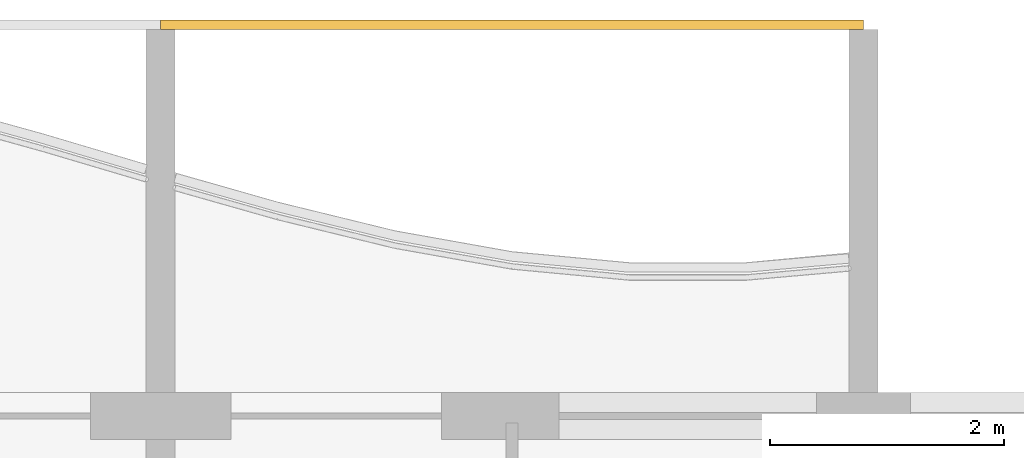
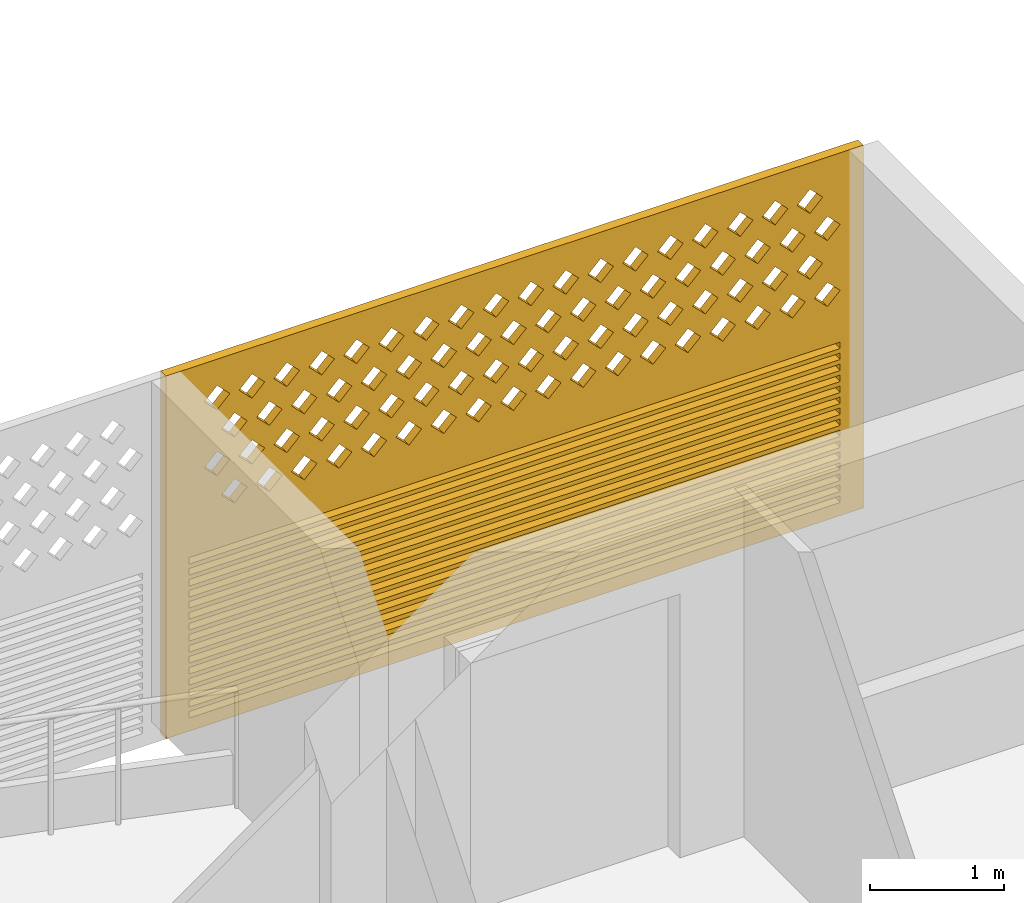
# One storey, part 23 of 27: 1 covering.
"""IFC4 building model written with IfcOpenShell, lengths in metres."""

from ifc_helpers import new_model, si_unit, direction, frame, origin, place, context, subcontext, project, spatial, polyline, outline, extrude, source, transform, mapped, material, material_profile, profile_set, type_object, element, save


model = new_model("IFC4")

# Units and contexts
model_context = context("Model", 3, precision=1e-05, world=origin(), true_north=direction((0.0, 1.0)))
body_context = subcontext(model_context, "Body", "Model", "MODEL_VIEW")
ifc_project = project(units=[si_unit("LENGTHUNIT", "METRE"), si_unit("AREAUNIT", "SQUARE_METRE"), si_unit("VOLUMEUNIT", "CUBIC_METRE"), si_unit("PLANEANGLEUNIT", "RADIAN"), si_unit("MASSUNIT", "GRAM", prefix="KILO")], contexts=[model_context])

# Site, building, storey
site_placement = place(None, origin())
site = spatial("IfcSite", under=ifc_project, at=site_placement, CompositionType="ELEMENT")
building_placement = place(site_placement, origin())
building = spatial("IfcBuilding", under=site, at=building_placement, Name="Poui Terraces", CompositionType="ELEMENT")
storey_placement = place(building_placement, frame((0.0, 0.0, 251.10009765625)))
storey = spatial("IfcBuildingStorey", under=building, at=storey_placement, Name="L70", CompositionType="ELEMENT", Elevation=251.10009765625)

# Covering
ifc_material = material(Name="Terracotta screen", Category="masonry")
ifc_material_profile = material_profile(ifc_material, outline(polyline([(-3.0, -1.64990234375), (3.0, -1.64990234375), (3.0, 1.64990234375), (-3.0, 1.64990234375), (-3.0, -1.64990234375)]), holes=[polyline([(-2.800048828125, 0.39990234375), (-2.68994140625, 0.2900390625), (-2.580078125, 0.39990234375), (-2.68994140625, 0.510009765625), (-2.800048828125, 0.39990234375)]), polyline([(-2.5, 0.39990234375), (-2.389892578125, 0.2900390625), (-2.280029296875, 0.39990234375), (-2.389892578125, 0.510009765625), (-2.5, 0.39990234375)]), polyline([(-2.199951171875, 0.39990234375), (-2.090087890625, 0.2900390625), (-1.97998046875, 0.39990234375), (-2.090087890625, 0.510009765625), (-2.199951171875, 0.39990234375)]), polyline([(-1.89990234375, 0.39990234375), (-1.7900390625, 0.2900390625), (-1.679931640625, 0.39990234375), (-1.7900390625, 0.510009765625), (-1.89990234375, 0.39990234375)]), polyline([(-1.60009765625, 0.39990234375), (-1.489990234375, 0.2900390625), (-1.3798828125, 0.39990234375), (-1.489990234375, 0.510009765625), (-1.60009765625, 0.39990234375)]), polyline([(-1.300048828125, 0.39990234375), (-1.18994140625, 0.2900390625), (-1.080078125, 0.39990234375), (-1.18994140625, 0.510009765625), (-1.300048828125, 0.39990234375)]), polyline([(-1.0, 0.39990234375), (-0.889892578125, 0.2900390625), (-0.780029296875, 0.39990234375), (-0.889892578125, 0.510009765625), (-1.0, 0.39990234375)]), polyline([(-0.699951171875, 0.39990234375), (-0.590087890625, 0.2900390625), (-0.47998046875, 0.39990234375), (-0.590087890625, 0.510009765625), (-0.699951171875, 0.39990234375)]), polyline([(-0.39990234375, 0.39990234375), (-0.2900390625, 0.2900390625), (-0.179931640625, 0.39990234375), (-0.2900390625, 0.510009765625), (-0.39990234375, 0.39990234375)]), polyline([(-0.10009765625, 0.39990234375), (0.010009765625, 0.2900390625), (0.1201171875, 0.39990234375), (0.010009765625, 0.510009765625), (-0.10009765625, 0.39990234375)]), polyline([(0.199951171875, 0.39990234375), (0.31005859375, 0.2900390625), (0.419921875, 0.39990234375), (0.31005859375, 0.510009765625), (0.199951171875, 0.39990234375)]), polyline([(0.5, 0.39990234375), (0.610107421875, 0.2900390625), (0.719970703125, 0.39990234375), (0.610107421875, 0.510009765625), (0.5, 0.39990234375)]), polyline([(0.800048828125, 0.39990234375), (0.909912109375, 0.2900390625), (1.02001953125, 0.39990234375), (0.909912109375, 0.510009765625), (0.800048828125, 0.39990234375)]), polyline([(1.10009765625, 0.39990234375), (1.2099609375, 0.2900390625), (1.320068359375, 0.39990234375), (1.2099609375, 0.510009765625), (1.10009765625, 0.39990234375)]), polyline([(1.39990234375, 0.39990234375), (1.510009765625, 0.2900390625), (1.6201171875, 0.39990234375), (1.510009765625, 0.510009765625), (1.39990234375, 0.39990234375)]), polyline([(1.699951171875, 0.39990234375), (1.81005859375, 0.2900390625), (1.919921875, 0.39990234375), (1.81005859375, 0.510009765625), (1.699951171875, 0.39990234375)]), polyline([(2.0, 0.39990234375), (2.110107421875, 0.2900390625), (2.219970703125, 0.39990234375), (2.110107421875, 0.510009765625), (2.0, 0.39990234375)]), polyline([(2.300048828125, 0.39990234375), (2.409912109375, 0.2900390625), (2.52001953125, 0.39990234375), (2.409912109375, 0.510009765625), (2.300048828125, 0.39990234375)]), polyline([(-2.64990234375, 0.699951171875), (-2.5400390625, 0.590087890625), (-2.429931640625, 0.699951171875), (-2.5400390625, 0.81005859375), (-2.64990234375, 0.699951171875)]), polyline([(-2.35009765625, 0.699951171875), (-2.239990234375, 0.590087890625), (-2.1298828125, 0.699951171875), (-2.239990234375, 0.81005859375), (-2.35009765625, 0.699951171875)]), polyline([(-2.050048828125, 0.699951171875), (-1.93994140625, 0.590087890625), (-1.830078125, 0.699951171875), (-1.93994140625, 0.81005859375), (-2.050048828125, 0.699951171875)]), polyline([(-1.75, 0.699951171875), (-1.639892578125, 0.590087890625), (-1.530029296875, 0.699951171875), (-1.639892578125, 0.81005859375), (-1.75, 0.699951171875)]), polyline([(-1.449951171875, 0.699951171875), (-1.340087890625, 0.590087890625), (-1.22998046875, 0.699951171875), (-1.340087890625, 0.81005859375), (-1.449951171875, 0.699951171875)]), polyline([(-1.14990234375, 0.699951171875), (-1.0400390625, 0.590087890625), (-0.929931640625, 0.699951171875), (-1.0400390625, 0.81005859375), (-1.14990234375, 0.699951171875)]), polyline([(-0.85009765625, 0.699951171875), (-0.739990234375, 0.590087890625), (-0.6298828125, 0.699951171875), (-0.739990234375, 0.81005859375), (-0.85009765625, 0.699951171875)]), polyline([(-0.550048828125, 0.699951171875), (-0.43994140625, 0.590087890625), (-0.330078125, 0.699951171875), (-0.43994140625, 0.81005859375), (-0.550048828125, 0.699951171875)]), polyline([(-0.25, 0.699951171875), (-0.139892578125, 0.590087890625), (-0.030029296875, 0.699951171875), (-0.139892578125, 0.81005859375), (-0.25, 0.699951171875)]), polyline([(0.050048828125, 0.699951171875), (0.159912109375, 0.590087890625), (0.27001953125, 0.699951171875), (0.159912109375, 0.81005859375), (0.050048828125, 0.699951171875)]), polyline([(0.35009765625, 0.699951171875), (0.4599609375, 0.590087890625), (0.570068359375, 0.699951171875), (0.4599609375, 0.81005859375), (0.35009765625, 0.699951171875)]), polyline([(0.64990234375, 0.699951171875), (0.760009765625, 0.590087890625), (0.8701171875, 0.699951171875), (0.760009765625, 0.81005859375), (0.64990234375, 0.699951171875)]), polyline([(0.949951171875, 0.699951171875), (1.06005859375, 0.590087890625), (1.169921875, 0.699951171875), (1.06005859375, 0.81005859375), (0.949951171875, 0.699951171875)]), polyline([(1.25, 0.699951171875), (1.360107421875, 0.590087890625), (1.469970703125, 0.699951171875), (1.360107421875, 0.81005859375), (1.25, 0.699951171875)]), polyline([(1.550048828125, 0.699951171875), (1.659912109375, 0.590087890625), (1.77001953125, 0.699951171875), (1.659912109375, 0.81005859375), (1.550048828125, 0.699951171875)]), polyline([(1.85009765625, 0.699951171875), (1.9599609375, 0.590087890625), (2.070068359375, 0.699951171875), (1.9599609375, 0.81005859375), (1.85009765625, 0.699951171875)]), polyline([(2.14990234375, 0.699951171875), (2.260009765625, 0.590087890625), (2.3701171875, 0.699951171875), (2.260009765625, 0.81005859375), (2.14990234375, 0.699951171875)]), polyline([(2.449951171875, 0.699951171875), (2.56005859375, 0.590087890625), (2.669921875, 0.699951171875), (2.56005859375, 0.81005859375), (2.449951171875, 0.699951171875)]), polyline([(-2.800048828125, 1.0), (-2.68994140625, 0.889892578125), (-2.580078125, 1.0), (-2.68994140625, 1.110107421875), (-2.800048828125, 1.0)]), polyline([(-2.5, 1.0), (-2.389892578125, 0.889892578125), (-2.280029296875, 1.0), (-2.389892578125, 1.110107421875), (-2.5, 1.0)]), polyline([(-2.199951171875, 1.0), (-2.090087890625, 0.889892578125), (-1.97998046875, 1.0), (-2.090087890625, 1.110107421875), (-2.199951171875, 1.0)]), polyline([(-1.89990234375, 1.0), (-1.7900390625, 0.889892578125), (-1.679931640625, 1.0), (-1.7900390625, 1.110107421875), (-1.89990234375, 1.0)]), polyline([(-1.60009765625, 1.0), (-1.489990234375, 0.889892578125), (-1.3798828125, 1.0), (-1.489990234375, 1.110107421875), (-1.60009765625, 1.0)]), polyline([(-1.300048828125, 1.0), (-1.18994140625, 0.889892578125), (-1.080078125, 1.0), (-1.18994140625, 1.110107421875), (-1.300048828125, 1.0)]), polyline([(-1.0, 1.0), (-0.889892578125, 0.889892578125), (-0.780029296875, 1.0), (-0.889892578125, 1.110107421875), (-1.0, 1.0)]), polyline([(-0.699951171875, 1.0), (-0.590087890625, 0.889892578125), (-0.47998046875, 1.0), (-0.590087890625, 1.110107421875), (-0.699951171875, 1.0)]), polyline([(-0.39990234375, 1.0), (-0.2900390625, 0.889892578125), (-0.179931640625, 1.0), (-0.2900390625, 1.110107421875), (-0.39990234375, 1.0)]), polyline([(-0.10009765625, 1.0), (0.010009765625, 0.889892578125), (0.1201171875, 1.0), (0.010009765625, 1.110107421875), (-0.10009765625, 1.0)]), polyline([(0.199951171875, 1.0), (0.31005859375, 0.889892578125), (0.419921875, 1.0), (0.31005859375, 1.110107421875), (0.199951171875, 1.0)]), polyline([(0.5, 1.0), (0.610107421875, 0.889892578125), (0.719970703125, 1.0), (0.610107421875, 1.110107421875), (0.5, 1.0)]), polyline([(0.800048828125, 1.0), (0.909912109375, 0.889892578125), (1.02001953125, 1.0), (0.909912109375, 1.110107421875), (0.800048828125, 1.0)]), polyline([(1.10009765625, 1.0), (1.2099609375, 0.889892578125), (1.320068359375, 1.0), (1.2099609375, 1.110107421875), (1.10009765625, 1.0)]), polyline([(1.39990234375, 1.0), (1.510009765625, 0.889892578125), (1.6201171875, 1.0), (1.510009765625, 1.110107421875), (1.39990234375, 1.0)]), polyline([(1.699951171875, 1.0), (1.81005859375, 0.889892578125), (1.919921875, 1.0), (1.81005859375, 1.110107421875), (1.699951171875, 1.0)]), polyline([(2.0, 1.0), (2.110107421875, 0.889892578125), (2.219970703125, 1.0), (2.110107421875, 1.110107421875), (2.0, 1.0)]), polyline([(2.300048828125, 1.0), (2.409912109375, 0.889892578125), (2.52001953125, 1.0), (2.409912109375, 1.110107421875), (2.300048828125, 1.0)]), polyline([(-2.64990234375, 1.300048828125), (-2.5400390625, 1.18994140625), (-2.429931640625, 1.300048828125), (-2.5400390625, 1.409912109375), (-2.64990234375, 1.300048828125)]), polyline([(-2.35009765625, 1.300048828125), (-2.239990234375, 1.18994140625), (-2.1298828125, 1.300048828125), (-2.239990234375, 1.409912109375), (-2.35009765625, 1.300048828125)]), polyline([(-2.050048828125, 1.300048828125), (-1.93994140625, 1.18994140625), (-1.830078125, 1.300048828125), (-1.93994140625, 1.409912109375), (-2.050048828125, 1.300048828125)]), polyline([(-1.75, 1.300048828125), (-1.639892578125, 1.18994140625), (-1.530029296875, 1.300048828125), (-1.639892578125, 1.409912109375), (-1.75, 1.300048828125)]), polyline([(-1.449951171875, 1.300048828125), (-1.340087890625, 1.18994140625), (-1.22998046875, 1.300048828125), (-1.340087890625, 1.409912109375), (-1.449951171875, 1.300048828125)]), polyline([(-1.14990234375, 1.300048828125), (-1.0400390625, 1.18994140625), (-0.929931640625, 1.300048828125), (-1.0400390625, 1.409912109375), (-1.14990234375, 1.300048828125)]), polyline([(-0.85009765625, 1.300048828125), (-0.739990234375, 1.18994140625), (-0.6298828125, 1.300048828125), (-0.739990234375, 1.409912109375), (-0.85009765625, 1.300048828125)]), polyline([(-0.550048828125, 1.300048828125), (-0.43994140625, 1.18994140625), (-0.330078125, 1.300048828125), (-0.43994140625, 1.409912109375), (-0.550048828125, 1.300048828125)]), polyline([(-0.25, 1.300048828125), (-0.139892578125, 1.18994140625), (-0.030029296875, 1.300048828125), (-0.139892578125, 1.409912109375), (-0.25, 1.300048828125)]), polyline([(0.050048828125, 1.300048828125), (0.159912109375, 1.18994140625), (0.27001953125, 1.300048828125), (0.159912109375, 1.409912109375), (0.050048828125, 1.300048828125)]), polyline([(0.35009765625, 1.300048828125), (0.4599609375, 1.18994140625), (0.570068359375, 1.300048828125), (0.4599609375, 1.409912109375), (0.35009765625, 1.300048828125)]), polyline([(0.64990234375, 1.300048828125), (0.760009765625, 1.18994140625), (0.8701171875, 1.300048828125), (0.760009765625, 1.409912109375), (0.64990234375, 1.300048828125)]), polyline([(0.949951171875, 1.300048828125), (1.06005859375, 1.18994140625), (1.169921875, 1.300048828125), (1.06005859375, 1.409912109375), (0.949951171875, 1.300048828125)]), polyline([(1.25, 1.300048828125), (1.360107421875, 1.18994140625), (1.469970703125, 1.300048828125), (1.360107421875, 1.409912109375), (1.25, 1.300048828125)]), polyline([(1.550048828125, 1.300048828125), (1.659912109375, 1.18994140625), (1.77001953125, 1.300048828125), (1.659912109375, 1.409912109375), (1.550048828125, 1.300048828125)]), polyline([(1.85009765625, 1.300048828125), (1.9599609375, 1.18994140625), (2.070068359375, 1.300048828125), (1.9599609375, 1.409912109375), (1.85009765625, 1.300048828125)]), polyline([(2.14990234375, 1.300048828125), (2.260009765625, 1.18994140625), (2.3701171875, 1.300048828125), (2.260009765625, 1.409912109375), (2.14990234375, 1.300048828125)]), polyline([(2.449951171875, 1.300048828125), (2.56005859375, 1.18994140625), (2.669921875, 1.300048828125), (2.56005859375, 1.409912109375), (2.449951171875, 1.300048828125)]), polyline([(-2.800048828125, -1.530029296875), (2.800048828125, -1.530029296875), (2.800048828125, -1.469970703125), (-2.800048828125, -1.469970703125), (-2.800048828125, -1.530029296875)]), polyline([(-2.800048828125, -1.429931640625), (2.800048828125, -1.429931640625), (2.800048828125, -1.3701171875), (-2.800048828125, -1.3701171875), (-2.800048828125, -1.429931640625)]), polyline([(-2.800048828125, -1.330078125), (2.800048828125, -1.330078125), (2.800048828125, -1.27001953125), (-2.800048828125, -1.27001953125), (-2.800048828125, -1.330078125)]), polyline([(-2.800048828125, -1.22998046875), (2.800048828125, -1.22998046875), (2.800048828125, -1.169921875), (-2.800048828125, -1.169921875), (-2.800048828125, -1.22998046875)]), polyline([(-2.800048828125, -1.1298828125), (2.800048828125, -1.1298828125), (2.800048828125, -1.070068359375), (-2.800048828125, -1.070068359375), (-2.800048828125, -1.1298828125)]), polyline([(-2.800048828125, -1.030029296875), (2.800048828125, -1.030029296875), (2.800048828125, -0.969970703125), (-2.800048828125, -0.969970703125), (-2.800048828125, -1.030029296875)]), polyline([(-2.800048828125, -0.929931640625), (2.800048828125, -0.929931640625), (2.800048828125, -0.8701171875), (-2.800048828125, -0.8701171875), (-2.800048828125, -0.929931640625)]), polyline([(-2.800048828125, -0.830078125), (2.800048828125, -0.830078125), (2.800048828125, -0.77001953125), (-2.800048828125, -0.77001953125), (-2.800048828125, -0.830078125)]), polyline([(-2.800048828125, -0.72998046875), (2.800048828125, -0.72998046875), (2.800048828125, -0.669921875), (-2.800048828125, -0.669921875), (-2.800048828125, -0.72998046875)]), polyline([(-2.800048828125, -0.6298828125), (2.800048828125, -0.6298828125), (2.800048828125, -0.570068359375), (-2.800048828125, -0.570068359375), (-2.800048828125, -0.6298828125)]), polyline([(-2.800048828125, -0.530029296875), (2.800048828125, -0.530029296875), (2.800048828125, -0.469970703125), (-2.800048828125, -0.469970703125), (-2.800048828125, -0.530029296875)]), polyline([(-2.800048828125, -0.429931640625), (2.800048828125, -0.429931640625), (2.800048828125, -0.3701171875), (-2.800048828125, -0.3701171875), (-2.800048828125, -0.429931640625)]), polyline([(-2.800048828125, -0.330078125), (2.800048828125, -0.330078125), (2.800048828125, -0.27001953125), (-2.800048828125, -0.27001953125), (-2.800048828125, -0.330078125)]), polyline([(-2.800048828125, -0.22998046875), (2.800048828125, -0.22998046875), (2.800048828125, -0.169921875), (-2.800048828125, -0.169921875), (-2.800048828125, -0.22998046875)]), polyline([(-2.800048828125, -0.1298828125), (2.800048828125, -0.1298828125), (2.800048828125, -0.070068359375), (-2.800048828125, -0.070068359375), (-2.800048828125, -0.1298828125)])]), Name="TERRACOTTA SCREEN AND JALOUSIE LOUVRE 6000X3300")
ifc_profile_set = profile_set([ifc_material_profile], Name="Terracotta screen")
covering_type = type_object("IfcCoveringType", Name="TERRACOTTA SCREEN AND JALOUSIE LOUVRE 6000X3300", PredefinedType="CLADDING", material=ifc_profile_set)
shared_shape = source(origin(), body_context, "Body", "SweptSolid", [
    extrude(outline(polyline([(-3.0, -1.64990234375), (3.0, -1.64990234375), (3.0, 1.64990234375), (-3.0, 1.64990234375), (-3.0, -1.64990234375)]), holes=[polyline([(-2.800048828125, 0.39990234375), (-2.68994140625, 0.2900390625), (-2.580078125, 0.39990234375), (-2.68994140625, 0.510009765625), (-2.800048828125, 0.39990234375)]), polyline([(-2.5, 0.39990234375), (-2.389892578125, 0.2900390625), (-2.280029296875, 0.39990234375), (-2.389892578125, 0.510009765625), (-2.5, 0.39990234375)]), polyline([(-2.199951171875, 0.39990234375), (-2.090087890625, 0.2900390625), (-1.97998046875, 0.39990234375), (-2.090087890625, 0.510009765625), (-2.199951171875, 0.39990234375)]), polyline([(-1.89990234375, 0.39990234375), (-1.7900390625, 0.2900390625), (-1.679931640625, 0.39990234375), (-1.7900390625, 0.510009765625), (-1.89990234375, 0.39990234375)]), polyline([(-1.60009765625, 0.39990234375), (-1.489990234375, 0.2900390625), (-1.3798828125, 0.39990234375), (-1.489990234375, 0.510009765625), (-1.60009765625, 0.39990234375)]), polyline([(-1.300048828125, 0.39990234375), (-1.18994140625, 0.2900390625), (-1.080078125, 0.39990234375), (-1.18994140625, 0.510009765625), (-1.300048828125, 0.39990234375)]), polyline([(-1.0, 0.39990234375), (-0.889892578125, 0.2900390625), (-0.780029296875, 0.39990234375), (-0.889892578125, 0.510009765625), (-1.0, 0.39990234375)]), polyline([(-0.699951171875, 0.39990234375), (-0.590087890625, 0.2900390625), (-0.47998046875, 0.39990234375), (-0.590087890625, 0.510009765625), (-0.699951171875, 0.39990234375)]), polyline([(-0.39990234375, 0.39990234375), (-0.2900390625, 0.2900390625), (-0.179931640625, 0.39990234375), (-0.2900390625, 0.510009765625), (-0.39990234375, 0.39990234375)]), polyline([(-0.10009765625, 0.39990234375), (0.010009765625, 0.2900390625), (0.1201171875, 0.39990234375), (0.010009765625, 0.510009765625), (-0.10009765625, 0.39990234375)]), polyline([(0.199951171875, 0.39990234375), (0.31005859375, 0.2900390625), (0.419921875, 0.39990234375), (0.31005859375, 0.510009765625), (0.199951171875, 0.39990234375)]), polyline([(0.5, 0.39990234375), (0.610107421875, 0.2900390625), (0.719970703125, 0.39990234375), (0.610107421875, 0.510009765625), (0.5, 0.39990234375)]), polyline([(0.800048828125, 0.39990234375), (0.909912109375, 0.2900390625), (1.02001953125, 0.39990234375), (0.909912109375, 0.510009765625), (0.800048828125, 0.39990234375)]), polyline([(1.10009765625, 0.39990234375), (1.2099609375, 0.2900390625), (1.320068359375, 0.39990234375), (1.2099609375, 0.510009765625), (1.10009765625, 0.39990234375)]), polyline([(1.39990234375, 0.39990234375), (1.510009765625, 0.2900390625), (1.6201171875, 0.39990234375), (1.510009765625, 0.510009765625), (1.39990234375, 0.39990234375)]), polyline([(1.699951171875, 0.39990234375), (1.81005859375, 0.2900390625), (1.919921875, 0.39990234375), (1.81005859375, 0.510009765625), (1.699951171875, 0.39990234375)]), polyline([(2.0, 0.39990234375), (2.110107421875, 0.2900390625), (2.219970703125, 0.39990234375), (2.110107421875, 0.510009765625), (2.0, 0.39990234375)]), polyline([(2.300048828125, 0.39990234375), (2.409912109375, 0.2900390625), (2.52001953125, 0.39990234375), (2.409912109375, 0.510009765625), (2.300048828125, 0.39990234375)]), polyline([(-2.64990234375, 0.699951171875), (-2.5400390625, 0.590087890625), (-2.429931640625, 0.699951171875), (-2.5400390625, 0.81005859375), (-2.64990234375, 0.699951171875)]), polyline([(-2.35009765625, 0.699951171875), (-2.239990234375, 0.590087890625), (-2.1298828125, 0.699951171875), (-2.239990234375, 0.81005859375), (-2.35009765625, 0.699951171875)]), polyline([(-2.050048828125, 0.699951171875), (-1.93994140625, 0.590087890625), (-1.830078125, 0.699951171875), (-1.93994140625, 0.81005859375), (-2.050048828125, 0.699951171875)]), polyline([(-1.75, 0.699951171875), (-1.639892578125, 0.590087890625), (-1.530029296875, 0.699951171875), (-1.639892578125, 0.81005859375), (-1.75, 0.699951171875)]), polyline([(-1.449951171875, 0.699951171875), (-1.340087890625, 0.590087890625), (-1.22998046875, 0.699951171875), (-1.340087890625, 0.81005859375), (-1.449951171875, 0.699951171875)]), polyline([(-1.14990234375, 0.699951171875), (-1.0400390625, 0.590087890625), (-0.929931640625, 0.699951171875), (-1.0400390625, 0.81005859375), (-1.14990234375, 0.699951171875)]), polyline([(-0.85009765625, 0.699951171875), (-0.739990234375, 0.590087890625), (-0.6298828125, 0.699951171875), (-0.739990234375, 0.81005859375), (-0.85009765625, 0.699951171875)]), polyline([(-0.550048828125, 0.699951171875), (-0.43994140625, 0.590087890625), (-0.330078125, 0.699951171875), (-0.43994140625, 0.81005859375), (-0.550048828125, 0.699951171875)]), polyline([(-0.25, 0.699951171875), (-0.139892578125, 0.590087890625), (-0.030029296875, 0.699951171875), (-0.139892578125, 0.81005859375), (-0.25, 0.699951171875)]), polyline([(0.050048828125, 0.699951171875), (0.159912109375, 0.590087890625), (0.27001953125, 0.699951171875), (0.159912109375, 0.81005859375), (0.050048828125, 0.699951171875)]), polyline([(0.35009765625, 0.699951171875), (0.4599609375, 0.590087890625), (0.570068359375, 0.699951171875), (0.4599609375, 0.81005859375), (0.35009765625, 0.699951171875)]), polyline([(0.64990234375, 0.699951171875), (0.760009765625, 0.590087890625), (0.8701171875, 0.699951171875), (0.760009765625, 0.81005859375), (0.64990234375, 0.699951171875)]), polyline([(0.949951171875, 0.699951171875), (1.06005859375, 0.590087890625), (1.169921875, 0.699951171875), (1.06005859375, 0.81005859375), (0.949951171875, 0.699951171875)]), polyline([(1.25, 0.699951171875), (1.360107421875, 0.590087890625), (1.469970703125, 0.699951171875), (1.360107421875, 0.81005859375), (1.25, 0.699951171875)]), polyline([(1.550048828125, 0.699951171875), (1.659912109375, 0.590087890625), (1.77001953125, 0.699951171875), (1.659912109375, 0.81005859375), (1.550048828125, 0.699951171875)]), polyline([(1.85009765625, 0.699951171875), (1.9599609375, 0.590087890625), (2.070068359375, 0.699951171875), (1.9599609375, 0.81005859375), (1.85009765625, 0.699951171875)]), polyline([(2.14990234375, 0.699951171875), (2.260009765625, 0.590087890625), (2.3701171875, 0.699951171875), (2.260009765625, 0.81005859375), (2.14990234375, 0.699951171875)]), polyline([(2.449951171875, 0.699951171875), (2.56005859375, 0.590087890625), (2.669921875, 0.699951171875), (2.56005859375, 0.81005859375), (2.449951171875, 0.699951171875)]), polyline([(-2.800048828125, 1.0), (-2.68994140625, 0.889892578125), (-2.580078125, 1.0), (-2.68994140625, 1.110107421875), (-2.800048828125, 1.0)]), polyline([(-2.5, 1.0), (-2.389892578125, 0.889892578125), (-2.280029296875, 1.0), (-2.389892578125, 1.110107421875), (-2.5, 1.0)]), polyline([(-2.199951171875, 1.0), (-2.090087890625, 0.889892578125), (-1.97998046875, 1.0), (-2.090087890625, 1.110107421875), (-2.199951171875, 1.0)]), polyline([(-1.89990234375, 1.0), (-1.7900390625, 0.889892578125), (-1.679931640625, 1.0), (-1.7900390625, 1.110107421875), (-1.89990234375, 1.0)]), polyline([(-1.60009765625, 1.0), (-1.489990234375, 0.889892578125), (-1.3798828125, 1.0), (-1.489990234375, 1.110107421875), (-1.60009765625, 1.0)]), polyline([(-1.300048828125, 1.0), (-1.18994140625, 0.889892578125), (-1.080078125, 1.0), (-1.18994140625, 1.110107421875), (-1.300048828125, 1.0)]), polyline([(-1.0, 1.0), (-0.889892578125, 0.889892578125), (-0.780029296875, 1.0), (-0.889892578125, 1.110107421875), (-1.0, 1.0)]), polyline([(-0.699951171875, 1.0), (-0.590087890625, 0.889892578125), (-0.47998046875, 1.0), (-0.590087890625, 1.110107421875), (-0.699951171875, 1.0)]), polyline([(-0.39990234375, 1.0), (-0.2900390625, 0.889892578125), (-0.179931640625, 1.0), (-0.2900390625, 1.110107421875), (-0.39990234375, 1.0)]), polyline([(-0.10009765625, 1.0), (0.010009765625, 0.889892578125), (0.1201171875, 1.0), (0.010009765625, 1.110107421875), (-0.10009765625, 1.0)]), polyline([(0.199951171875, 1.0), (0.31005859375, 0.889892578125), (0.419921875, 1.0), (0.31005859375, 1.110107421875), (0.199951171875, 1.0)]), polyline([(0.5, 1.0), (0.610107421875, 0.889892578125), (0.719970703125, 1.0), (0.610107421875, 1.110107421875), (0.5, 1.0)]), polyline([(0.800048828125, 1.0), (0.909912109375, 0.889892578125), (1.02001953125, 1.0), (0.909912109375, 1.110107421875), (0.800048828125, 1.0)]), polyline([(1.10009765625, 1.0), (1.2099609375, 0.889892578125), (1.320068359375, 1.0), (1.2099609375, 1.110107421875), (1.10009765625, 1.0)]), polyline([(1.39990234375, 1.0), (1.510009765625, 0.889892578125), (1.6201171875, 1.0), (1.510009765625, 1.110107421875), (1.39990234375, 1.0)]), polyline([(1.699951171875, 1.0), (1.81005859375, 0.889892578125), (1.919921875, 1.0), (1.81005859375, 1.110107421875), (1.699951171875, 1.0)]), polyline([(2.0, 1.0), (2.110107421875, 0.889892578125), (2.219970703125, 1.0), (2.110107421875, 1.110107421875), (2.0, 1.0)]), polyline([(2.300048828125, 1.0), (2.409912109375, 0.889892578125), (2.52001953125, 1.0), (2.409912109375, 1.110107421875), (2.300048828125, 1.0)]), polyline([(-2.64990234375, 1.300048828125), (-2.5400390625, 1.18994140625), (-2.429931640625, 1.300048828125), (-2.5400390625, 1.409912109375), (-2.64990234375, 1.300048828125)]), polyline([(-2.35009765625, 1.300048828125), (-2.239990234375, 1.18994140625), (-2.1298828125, 1.300048828125), (-2.239990234375, 1.409912109375), (-2.35009765625, 1.300048828125)]), polyline([(-2.050048828125, 1.300048828125), (-1.93994140625, 1.18994140625), (-1.830078125, 1.300048828125), (-1.93994140625, 1.409912109375), (-2.050048828125, 1.300048828125)]), polyline([(-1.75, 1.300048828125), (-1.639892578125, 1.18994140625), (-1.530029296875, 1.300048828125), (-1.639892578125, 1.409912109375), (-1.75, 1.300048828125)]), polyline([(-1.449951171875, 1.300048828125), (-1.340087890625, 1.18994140625), (-1.22998046875, 1.300048828125), (-1.340087890625, 1.409912109375), (-1.449951171875, 1.300048828125)]), polyline([(-1.14990234375, 1.300048828125), (-1.0400390625, 1.18994140625), (-0.929931640625, 1.300048828125), (-1.0400390625, 1.409912109375), (-1.14990234375, 1.300048828125)]), polyline([(-0.85009765625, 1.300048828125), (-0.739990234375, 1.18994140625), (-0.6298828125, 1.300048828125), (-0.739990234375, 1.409912109375), (-0.85009765625, 1.300048828125)]), polyline([(-0.550048828125, 1.300048828125), (-0.43994140625, 1.18994140625), (-0.330078125, 1.300048828125), (-0.43994140625, 1.409912109375), (-0.550048828125, 1.300048828125)]), polyline([(-0.25, 1.300048828125), (-0.139892578125, 1.18994140625), (-0.030029296875, 1.300048828125), (-0.139892578125, 1.409912109375), (-0.25, 1.300048828125)]), polyline([(0.050048828125, 1.300048828125), (0.159912109375, 1.18994140625), (0.27001953125, 1.300048828125), (0.159912109375, 1.409912109375), (0.050048828125, 1.300048828125)]), polyline([(0.35009765625, 1.300048828125), (0.4599609375, 1.18994140625), (0.570068359375, 1.300048828125), (0.4599609375, 1.409912109375), (0.35009765625, 1.300048828125)]), polyline([(0.64990234375, 1.300048828125), (0.760009765625, 1.18994140625), (0.8701171875, 1.300048828125), (0.760009765625, 1.409912109375), (0.64990234375, 1.300048828125)]), polyline([(0.949951171875, 1.300048828125), (1.06005859375, 1.18994140625), (1.169921875, 1.300048828125), (1.06005859375, 1.409912109375), (0.949951171875, 1.300048828125)]), polyline([(1.25, 1.300048828125), (1.360107421875, 1.18994140625), (1.469970703125, 1.300048828125), (1.360107421875, 1.409912109375), (1.25, 1.300048828125)]), polyline([(1.550048828125, 1.300048828125), (1.659912109375, 1.18994140625), (1.77001953125, 1.300048828125), (1.659912109375, 1.409912109375), (1.550048828125, 1.300048828125)]), polyline([(1.85009765625, 1.300048828125), (1.9599609375, 1.18994140625), (2.070068359375, 1.300048828125), (1.9599609375, 1.409912109375), (1.85009765625, 1.300048828125)]), polyline([(2.14990234375, 1.300048828125), (2.260009765625, 1.18994140625), (2.3701171875, 1.300048828125), (2.260009765625, 1.409912109375), (2.14990234375, 1.300048828125)]), polyline([(2.449951171875, 1.300048828125), (2.56005859375, 1.18994140625), (2.669921875, 1.300048828125), (2.56005859375, 1.409912109375), (2.449951171875, 1.300048828125)]), polyline([(-2.800048828125, -1.530029296875), (2.800048828125, -1.530029296875), (2.800048828125, -1.469970703125), (-2.800048828125, -1.469970703125), (-2.800048828125, -1.530029296875)]), polyline([(-2.800048828125, -1.429931640625), (2.800048828125, -1.429931640625), (2.800048828125, -1.3701171875), (-2.800048828125, -1.3701171875), (-2.800048828125, -1.429931640625)]), polyline([(-2.800048828125, -1.330078125), (2.800048828125, -1.330078125), (2.800048828125, -1.27001953125), (-2.800048828125, -1.27001953125), (-2.800048828125, -1.330078125)]), polyline([(-2.800048828125, -1.22998046875), (2.800048828125, -1.22998046875), (2.800048828125, -1.169921875), (-2.800048828125, -1.169921875), (-2.800048828125, -1.22998046875)]), polyline([(-2.800048828125, -1.1298828125), (2.800048828125, -1.1298828125), (2.800048828125, -1.070068359375), (-2.800048828125, -1.070068359375), (-2.800048828125, -1.1298828125)]), polyline([(-2.800048828125, -1.030029296875), (2.800048828125, -1.030029296875), (2.800048828125, -0.969970703125), (-2.800048828125, -0.969970703125), (-2.800048828125, -1.030029296875)]), polyline([(-2.800048828125, -0.929931640625), (2.800048828125, -0.929931640625), (2.800048828125, -0.8701171875), (-2.800048828125, -0.8701171875), (-2.800048828125, -0.929931640625)]), polyline([(-2.800048828125, -0.830078125), (2.800048828125, -0.830078125), (2.800048828125, -0.77001953125), (-2.800048828125, -0.77001953125), (-2.800048828125, -0.830078125)]), polyline([(-2.800048828125, -0.72998046875), (2.800048828125, -0.72998046875), (2.800048828125, -0.669921875), (-2.800048828125, -0.669921875), (-2.800048828125, -0.72998046875)]), polyline([(-2.800048828125, -0.6298828125), (2.800048828125, -0.6298828125), (2.800048828125, -0.570068359375), (-2.800048828125, -0.570068359375), (-2.800048828125, -0.6298828125)]), polyline([(-2.800048828125, -0.530029296875), (2.800048828125, -0.530029296875), (2.800048828125, -0.469970703125), (-2.800048828125, -0.469970703125), (-2.800048828125, -0.530029296875)]), polyline([(-2.800048828125, -0.429931640625), (2.800048828125, -0.429931640625), (2.800048828125, -0.3701171875), (-2.800048828125, -0.3701171875), (-2.800048828125, -0.429931640625)]), polyline([(-2.800048828125, -0.330078125), (2.800048828125, -0.330078125), (2.800048828125, -0.27001953125), (-2.800048828125, -0.27001953125), (-2.800048828125, -0.330078125)]), polyline([(-2.800048828125, -0.22998046875), (2.800048828125, -0.22998046875), (2.800048828125, -0.169921875), (-2.800048828125, -0.169921875), (-2.800048828125, -0.22998046875)]), polyline([(-2.800048828125, -0.1298828125), (2.800048828125, -0.1298828125), (2.800048828125, -0.070068359375), (-2.800048828125, -0.070068359375), (-2.800048828125, -0.1298828125)])]), origin(), (0.0, 0.0, 1.0), 0.080078125),
])
covering_placement = place(storey_placement, frame((57.0, 44.5, 1.449951171875), z_axis=(0.0, 1.0, 0.0), x_axis=(-1.0, 0.0, 0.0)))
element("IfcCovering", 1, at=covering_placement, inside=storey, type_object=covering_type, Name="SOLAR SCREEN AND JALOUSIE LOUVRE", PredefinedType="CLADDING", context=body_context, shape_type="MappedRepresentation", body=[
    mapped(shared_shape, transform((0.0, 0.0, 0.0))),
])

save(model, "model.ifc")
